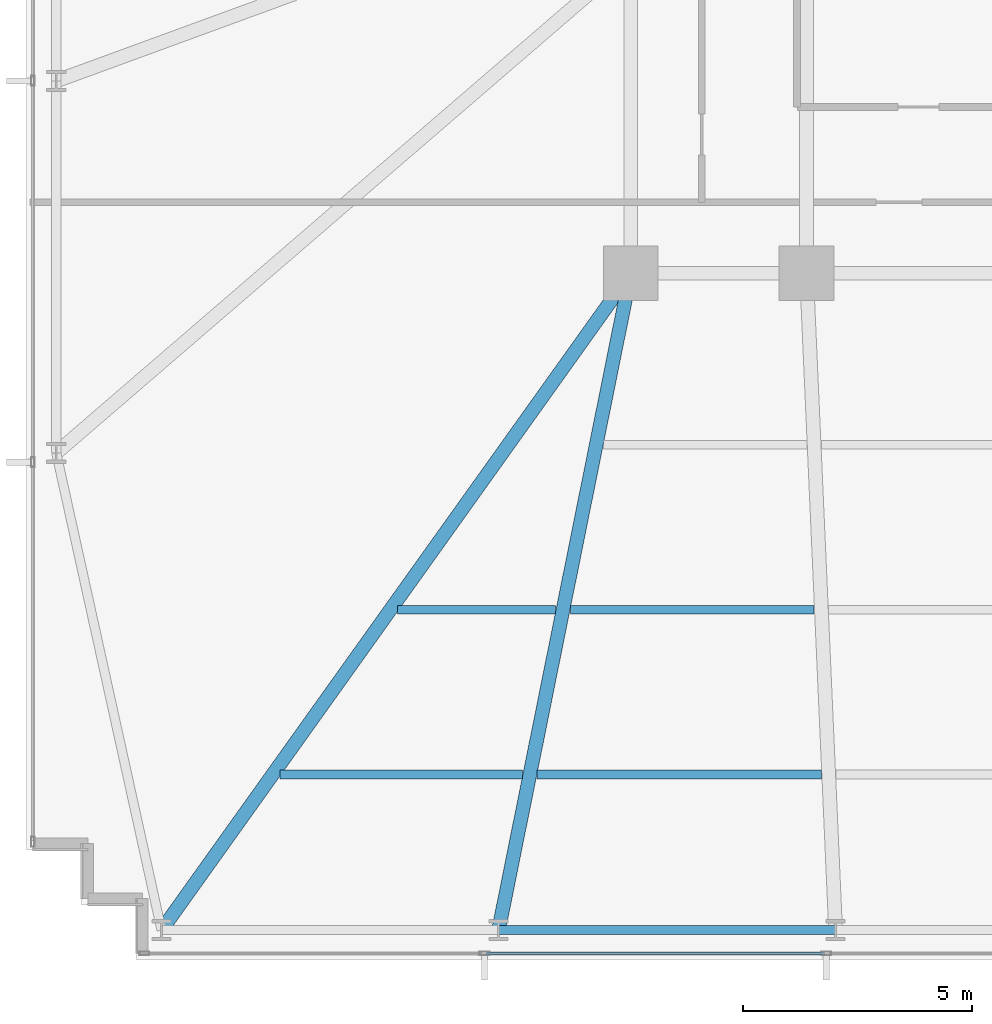
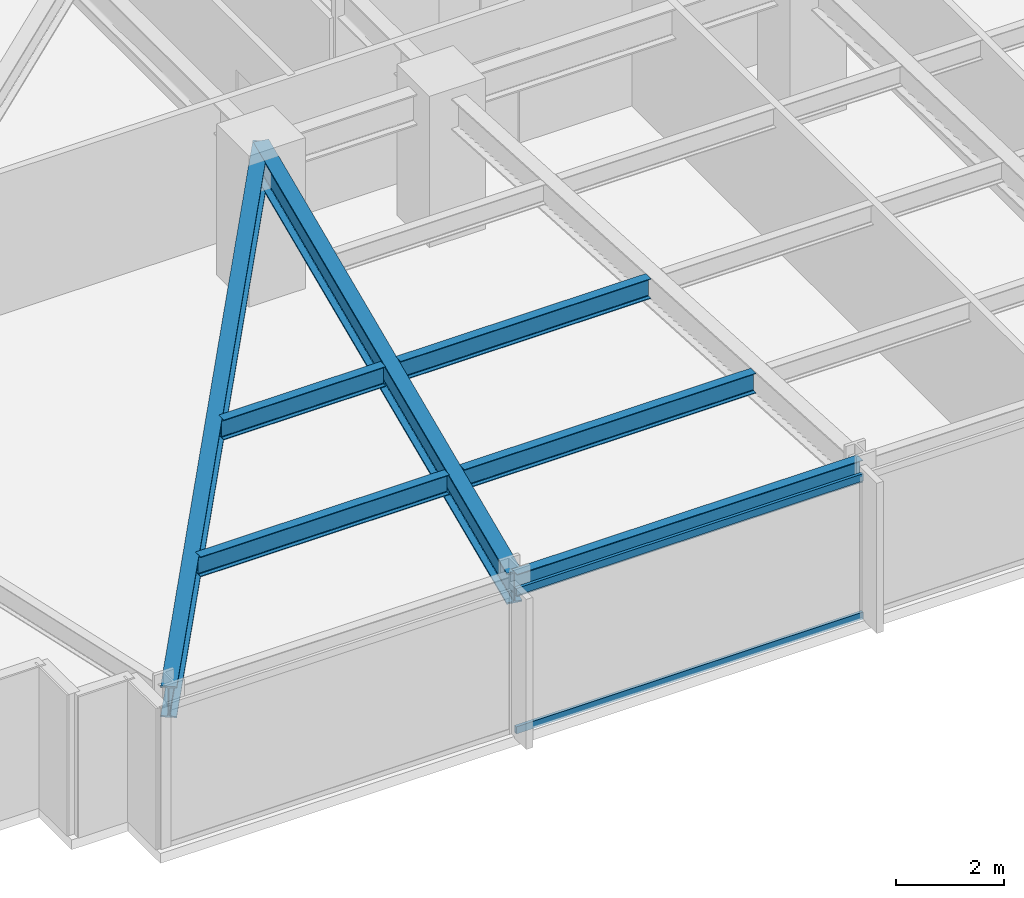
# One storey, part 3 of 32: 7 beams, 2 members, 1 element without a shape of its own.
"""IFC4 building model written with IfcOpenShell, lengths in metres."""

from ifc_helpers import new_model, si_unit, direction, frame, origin, origin_2d, place, context, subcontext, project, spatial, hollow_rectangle, i_section, extrude, material, material_profile, profile_set, type_object, element, aggregate, save


model = new_model("IFC4")

# Units and contexts
model_context = context("Model", 3, precision=1e-05, world=origin(), true_north=direction((0.0, 1.0)))
body_context = subcontext(model_context, "Body", "Model", "MODEL_VIEW")
ifc_project = project(units=[si_unit("LENGTHUNIT", "METRE"), si_unit("AREAUNIT", "SQUARE_METRE"), si_unit("VOLUMEUNIT", "CUBIC_METRE"), si_unit("PLANEANGLEUNIT", "RADIAN"), si_unit("MASSUNIT", "GRAM", prefix="KILO")], contexts=[model_context])

# Site, building, storey
site_placement = place(None, origin())
site = spatial("IfcSite", under=ifc_project, at=site_placement, CompositionType="ELEMENT")
building_placement = place(site_placement, origin())
building = spatial("IfcBuilding", under=site, at=building_placement, Name="Yelkora Congress Tower", CompositionType="ELEMENT")
storey_placement = place(building_placement, frame((0.0, 0.0, 57.60009765625)))
storey = spatial("IfcBuildingStorey", under=building, at=storey_placement, Name="L14", CompositionType="ELEMENT", Elevation=57.60009765625)

# Beams
ifc_material_1 = material(Name="Steel S355J2", Category="steel")
ifc_material_profile_1 = material_profile(ifc_material_1, i_section(OverallWidth=0.300048828125, OverallDepth=0.699951171875, WebThickness=0.01708984375, FlangeThickness=0.031982421875, FilletRadius=0.027099609375, at=origin_2d()), Name="HEB 700")
ifc_profile_set_1 = profile_set([ifc_material_profile_1], Name="Steel S355J2")
beam_type_1 = type_object("IfcBeamType", Name="BM-GIRD-HEB700", PredefinedType="BEAM", material=ifc_profile_set_1)
beam_1_placement = place(storey_placement, frame((8.949951171875, 10.85009765625, 2.829833984375), z_axis=(0.581242122521, 0.813730664906, 0.0), x_axis=(-0.813730664906, 0.581242122521, 0.0)))
element("IfcBeam", 1, at=beam_1_placement, inside=storey, type_object=beam_type_1, Name="L14 Primary Frame Girder S01", PredefinedType="BEAM", context=body_context, shape_type="SweptSolid", body=[
    extrude(i_section(OverallWidth=0.300048828125, OverallDepth=0.699951171875, WebThickness=0.01708984375, FlangeThickness=0.031982421875, FilletRadius=0.027099609375, at=origin_2d()), origin(), (0.0, 0.0, 1.0), 17.634765625),
])
beam_2_placement = place(storey_placement, frame((16.3125, 10.85009765625, 2.829833984375), z_axis=(0.197264295931, 0.980350344291, 0.0), x_axis=(-0.980350344291, 0.197264295931, 0.0)))
element("IfcBeam", 2, at=beam_2_placement, inside=storey, type_object=beam_type_1, Name="L14 Primary Frame Girder S02", PredefinedType="BEAM", context=body_context, shape_type="SweptSolid", body=[
    extrude(i_section(OverallWidth=0.300048828125, OverallDepth=0.699951171875, WebThickness=0.01708984375, FlangeThickness=0.031982421875, FilletRadius=0.027099609375, at=origin_2d()), origin(), (0.0, 0.0, 1.0), 14.637451171875),
])
ifc_material_profile_2 = material_profile(ifc_material_1, i_section(OverallWidth=0.18994140625, OverallDepth=0.449951171875, WebThickness=0.009521484375, FlangeThickness=0.0146484375, FilletRadius=0.02099609375, at=origin_2d()), Name="IPE 450")
ifc_profile_set_2 = profile_set([ifc_material_profile_2], Name="Steel S355J2")
beam_type_2 = type_object("IfcBeamType", Name="BM-JOIST-IPE450", PredefinedType="JOIST", material=ifc_profile_set_2)
beam_3_placement = place(storey_placement, frame((11.53857421875, 14.25, 2.954833984375), z_axis=(1.0, 0.0, 0.0), x_axis=(0.0, 1.0, 0.0)))
element("IfcBeam", 3, at=beam_3_placement, inside=storey, type_object=beam_type_2, Name="L14 Composite Floor Joist 1", PredefinedType="JOIST", context=body_context, shape_type="SweptSolid", body=[
    extrude(i_section(OverallWidth=0.18994140625, OverallDepth=0.449951171875, WebThickness=0.009521484375, FlangeThickness=0.0146484375, FilletRadius=0.02099609375, at=origin_2d()), origin(), (0.0, 0.0, 1.0), 5.298095703125),
])
beam_4_placement = place(storey_placement, frame((17.156494140625, 14.25, 2.954833984375), z_axis=(1.0, 0.0, 0.0), x_axis=(0.0, 1.0, 0.0)))
element("IfcBeam", 4, at=beam_4_placement, inside=storey, type_object=beam_type_2, Name="L14 Composite Floor Joist 2", PredefinedType="JOIST", context=body_context, shape_type="SweptSolid", body=[
    extrude(i_section(OverallWidth=0.18994140625, OverallDepth=0.449951171875, WebThickness=0.009521484375, FlangeThickness=0.0146484375, FilletRadius=0.02099609375, at=origin_2d()), origin(), (0.0, 0.0, 1.0), 6.2080078125),
])
beam_5_placement = place(storey_placement, frame((14.110107421875, 17.85009765625, 2.954833984375), z_axis=(1.0, 0.0, 0.0), x_axis=(0.0, 1.0, 0.0)))
element("IfcBeam", 5, at=beam_5_placement, inside=storey, type_object=beam_type_2, Name="L14 Composite Floor Joist 9", PredefinedType="JOIST", context=body_context, shape_type="SweptSolid", body=[
    extrude(i_section(OverallWidth=0.18994140625, OverallDepth=0.449951171875, WebThickness=0.009521484375, FlangeThickness=0.0146484375, FilletRadius=0.02099609375, at=origin_2d()), origin(), (0.0, 0.0, 1.0), 3.450927734375),
])
beam_6_placement = place(storey_placement, frame((17.881103515625, 17.85009765625, 2.954833984375), z_axis=(1.0, 0.0, 0.0), x_axis=(0.0, 1.0, 0.0)))
element("IfcBeam", 6, at=beam_6_placement, inside=storey, type_object=beam_type_2, Name="L14 Composite Floor Joist 10", PredefinedType="JOIST", context=body_context, shape_type="SweptSolid", body=[
    extrude(i_section(OverallWidth=0.18994140625, OverallDepth=0.449951171875, WebThickness=0.009521484375, FlangeThickness=0.0146484375, FilletRadius=0.02099609375, at=origin_2d()), origin(), (0.0, 0.0, 1.0), 5.323974609375),
])
ifc_material_profile_3 = material_profile(ifc_material_1, i_section(OverallWidth=0.199951171875, OverallDepth=0.5, WebThickness=0.01025390625, FlangeThickness=0.01611328125, FilletRadius=0.02099609375, at=origin_2d()), Name="IPE 500")
ifc_profile_set_3 = profile_set([ifc_material_profile_3], Name="Steel S355J2")
beam_type_3 = type_object("IfcBeamType", Name="BM-SPAN-IPE500", PredefinedType="SPANDREL", material=ifc_profile_set_3)
beam_7_placement = place(storey_placement, frame((16.3125, 10.85009765625, 2.929931640625), z_axis=(1.0, 0.0, 0.0), x_axis=(0.0, 1.0, 0.0)))
element("IfcBeam", 7, at=beam_7_placement, inside=storey, type_object=beam_type_3, Name="L14 Perimeter Beam 3", PredefinedType="SPANDREL", context=body_context, shape_type="SweptSolid", body=[
    extrude(i_section(OverallWidth=0.199951171875, OverallDepth=0.5, WebThickness=0.01025390625, FlangeThickness=0.01611328125, FilletRadius=0.02099609375, at=origin_2d()), origin(), (0.0, 0.0, 1.0), 7.362548828125),
])

# Curtain wall, members
ifc_material_2 = material(Name="Anodised aluminium and insulated glass", Category="aluminium")
curtain_wall_type = type_object("IfcCurtainWallType", Name="CW-SYS-B1", PredefinedType="NOTDEFINED", material=ifc_material_2)
curtain_wall_placement = place(storey_placement, origin())
curtain_wall = element("IfcCurtainWall", 8, at=curtain_wall_placement, inside=storey, type_object=curtain_wall_type, Name="L14 Unitised Curtain Wall 20", PredefinedType="NOTDEFINED")
ifc_material_3 = material(Name="Anodised aluminium 6063-T6", Category="aluminium")
ifc_material_profile_4 = material_profile(ifc_material_3, hollow_rectangle(XDim=0.06494140625, YDim=0.159912109375, WallThickness=0.00390625, at=origin_2d()), Name="ALU 65x160x4")
ifc_profile_set_4 = profile_set([ifc_material_profile_4], Name="Anodised aluminium 6063-T6")
member_type = type_object("IfcMemberType", Name="MEM-TR-B1", PredefinedType="USERDEFINED", material=ifc_profile_set_4)
member_1_placement = place(storey_placement, frame((23.4326171875, 10.340087890625, 0.032470703125), z_axis=(-1.0, 0.0, 0.0), x_axis=(0.0, -1.0, 0.0)))
member_1 = element("IfcMember", 9, at=member_1_placement, type_object=member_type, Name="CW-B1 transom 7.1", ObjectType="TRANSOM", PredefinedType="USERDEFINED", context=body_context, shape_type="SweptSolid", body=[
    extrude(hollow_rectangle(XDim=0.06494140625, YDim=0.159912109375, WallThickness=0.00390625, at=origin_2d()), origin(), (0.0, 0.0, 1.0), 7.39013671875),
])
member_2_placement = place(storey_placement, frame((23.4326171875, 10.340087890625, 3.1474609375), z_axis=(-1.0, 0.0, 0.0), x_axis=(0.0, -1.0, 0.0)))
member_2 = element("IfcMember", 10, at=member_2_placement, type_object=member_type, Name="CW-B1 transom 7.2", ObjectType="TRANSOM", PredefinedType="USERDEFINED", context=body_context, shape_type="SweptSolid", body=[
    extrude(hollow_rectangle(XDim=0.06494140625, YDim=0.159912109375, WallThickness=0.00390625, at=origin_2d()), origin(), (0.0, 0.0, 1.0), 7.39013671875),
])
aggregate(curtain_wall, [member_1, member_2])

save(model, "model.ifc")
